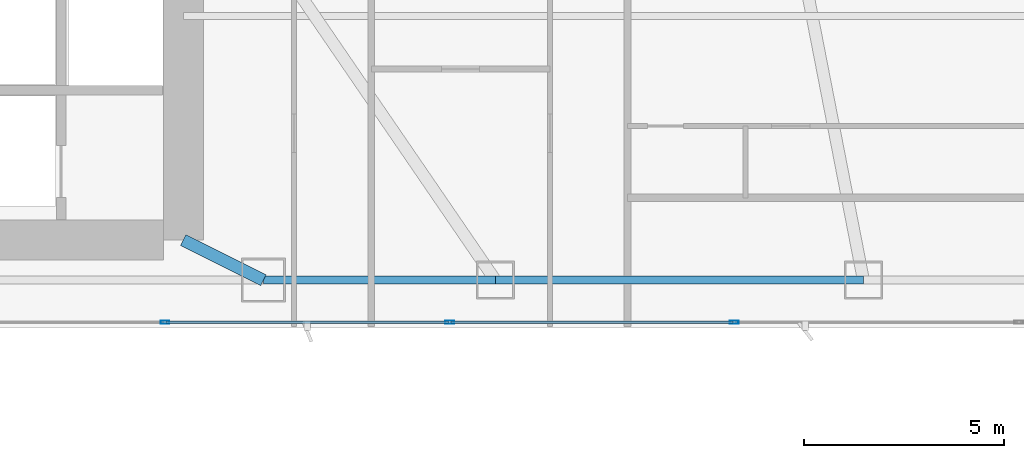
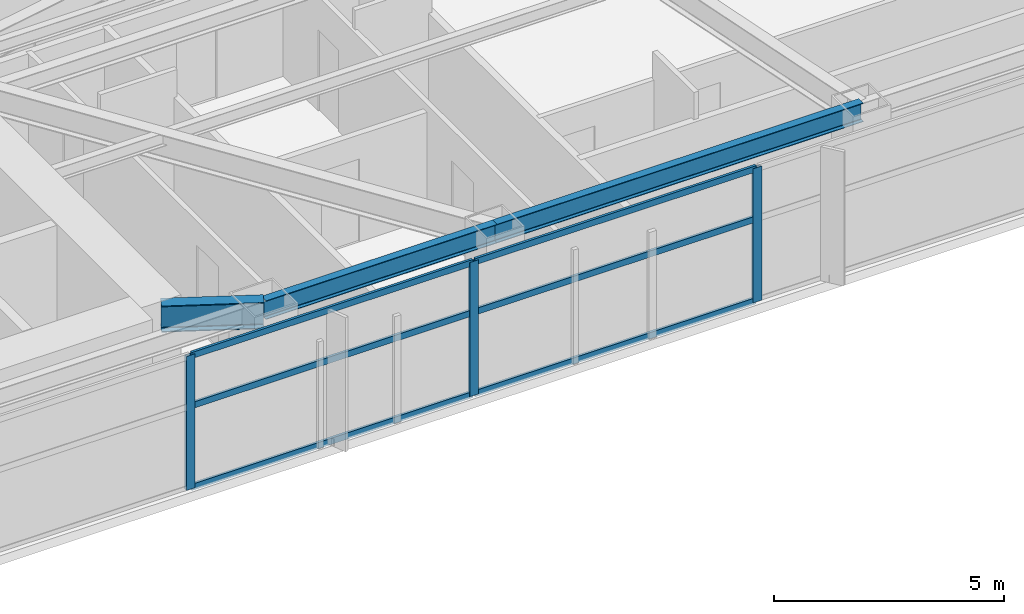
# One storey, part 12 of 30: 9 members, 3 beams, 1 element without a shape of its own.
"""IFC4 building model written with IfcOpenShell, lengths in metres."""

from ifc_helpers import new_model, si_unit, direction, frame, origin, origin_2d, place, context, subcontext, project, spatial, hollow_rectangle, i_section, extrude, material, layer, layer_set, material_profile, profile_set, type_object, element, aggregate, save


model = new_model("IFC4")

# Units and contexts
model_context = context("Model", 3, precision=1e-05, world=origin(), true_north=direction((0.0, 1.0)))
body_context = subcontext(model_context, "Body", "Model", "MODEL_VIEW")
ifc_project = project(units=[si_unit("LENGTHUNIT", "METRE"), si_unit("AREAUNIT", "SQUARE_METRE"), si_unit("VOLUMEUNIT", "CUBIC_METRE"), si_unit("PLANEANGLEUNIT", "RADIAN"), si_unit("MASSUNIT", "GRAM", prefix="KILO")], contexts=[model_context])

# Site, building, storey
site_placement = place(None, origin())
site = spatial("IfcSite", under=ifc_project, at=site_placement, CompositionType="ELEMENT")
building_placement = place(site_placement, origin())
building = spatial("IfcBuilding", under=site, at=building_placement, Name="Calvorn Quay Hotel", CompositionType="ELEMENT")
storey_placement = place(building_placement, frame((0.0, 0.0, 77.39990234375)))
storey = spatial("IfcBuildingStorey", under=building, at=storey_placement, Name="L18", CompositionType="ELEMENT", Elevation=77.39990234375)

# Beams
ifc_material_1 = material(Name="Steel Q390GJC", Category="steel")
ifc_material_profile_1 = material_profile(ifc_material_1, i_section(OverallWidth=0.300048828125, OverallDepth=0.699951171875, WebThickness=0.012939453125, FlangeThickness=0.02392578125, FilletRadius=0.02392578125, at=origin_2d()), Name="HN700x300x13x24")
ifc_profile_set_1 = profile_set([ifc_material_profile_1], Name="Steel Q390GJC")
beam_type_1 = type_object("IfcBeamType", Name="BM-GIRD-MAIN", PredefinedType="BEAM", material=ifc_profile_set_1)
beam_1_placement = place(storey_placement, frame((34.39990234375, 3.60009765625, 3.190185546875), z_axis=(-0.894427191, 0.4472135955, 0.0), x_axis=(-0.4472135955, -0.894427191, 0.0)))
element("IfcBeam", 1, at=beam_1_placement, inside=storey, type_object=beam_type_1, Name="Beam BG-L18-S3", PredefinedType="BEAM", context=body_context, shape_type="SweptSolid", body=[
    extrude(i_section(OverallWidth=0.300048828125, OverallDepth=0.699951171875, WebThickness=0.012939453125, FlangeThickness=0.02392578125, FilletRadius=0.02392578125, at=origin_2d()), origin(), (0.0, 0.0, 1.0), 2.236083984375),
])
ifc_material_2 = material(Name="Steel Q355B", Category="steel")
ifc_material_profile_2 = material_profile(ifc_material_2, i_section(OverallWidth=0.199951171875, OverallDepth=0.5, WebThickness=0.010009765625, FlangeThickness=0.01611328125, FilletRadius=0.01611328125, at=origin_2d()), Name="HN500x200x10x16")
ifc_profile_set_2 = profile_set([ifc_material_profile_2], Name="Steel Q355B")
beam_type_2 = type_object("IfcBeamType", Name="BM-SPANDREL-Z1", PredefinedType="SPANDREL", material=ifc_profile_set_2)
beam_2_placement = place(storey_placement, frame((34.39990234375, 3.60009765625, 3.2900390625), z_axis=(1.0, 0.0, 0.0), x_axis=(0.0, 1.0, 0.0)))
element("IfcBeam", 2, at=beam_2_placement, inside=storey, type_object=beam_type_2, Name="Beam BSP-L18-S4", PredefinedType="SPANDREL", context=body_context, shape_type="SweptSolid", body=[
    extrude(i_section(OverallWidth=0.199951171875, OverallDepth=0.5, WebThickness=0.010009765625, FlangeThickness=0.01611328125, FilletRadius=0.01611328125, at=origin_2d()), origin(), (0.0, 0.0, 1.0), 5.800048828125),
])
beam_3_placement = place(storey_placement, frame((40.199951171875, 3.60009765625, 3.2900390625), z_axis=(1.0, 0.0, 0.0), x_axis=(0.0, 1.0, 0.0)))
element("IfcBeam", 3, at=beam_3_placement, inside=storey, type_object=beam_type_2, Name="Beam BSP-L18-S5", PredefinedType="SPANDREL", context=body_context, shape_type="SweptSolid", body=[
    extrude(i_section(OverallWidth=0.199951171875, OverallDepth=0.5, WebThickness=0.010009765625, FlangeThickness=0.01611328125, FilletRadius=0.01611328125, at=origin_2d()), origin(), (0.0, 0.0, 1.0), 9.199951171875),
])

# Curtain wall, members
ifc_material_3 = material(Name="Pale Anodised Aluminium and Low-E Glass", Category="aluminium")
ifc_layer = layer(ifc_material_3, 0.219970703125)
ifc_layer_set = layer_set([ifc_layer], Name="CW-SYS-Z1")
curtain_wall_type = type_object("IfcCurtainWallType", Name="CW-SYS-Z1", PredefinedType="NOTDEFINED", material=ifc_layer_set)
curtain_wall_placement = place(storey_placement, origin())
curtain_wall = element("IfcCurtainWall", 4, at=curtain_wall_placement, inside=storey, type_object=curtain_wall_type, Name="Tower South Waterfront Curtain Wall (L18)", PredefinedType="NOTDEFINED")
ifc_material_4 = material(Name="Pale Anodised Aluminium 6063-T6", Category="aluminium")
ifc_material_profile_3 = material_profile(ifc_material_4, hollow_rectangle(XDim=0.074951171875, YDim=0.219970703125, WallThickness=0.00439453125, at=origin_2d()), Name="ALU-M220x75x4.5")
ifc_profile_set_3 = profile_set([ifc_material_profile_3], Name="Pale Anodised Aluminium 6063-T6")
member_type_1 = type_object("IfcMemberType", Name="CW-SYS-Z1-MUL", PredefinedType="MULLION", material=ifc_profile_set_3)
member_1_placement = place(storey_placement, frame((31.94287109375, 2.550048828125, 0.0), z_axis=(0.0, 0.0, 1.0), x_axis=(0.0, 1.0, 0.0)))
member_1 = element("IfcMember", 5, at=member_1_placement, type_object=member_type_1, Name="CW-L18-S mullion 4", PredefinedType="MULLION", context=body_context, shape_type="SweptSolid", body=[
    extrude(hollow_rectangle(XDim=0.074951171875, YDim=0.219970703125, WallThickness=0.00439453125, at=origin_2d()), origin(), (0.0, 0.0, 1.0), 3.56005859375),
])
member_2_placement = place(storey_placement, frame((39.05712890625, 2.550048828125, 0.0), z_axis=(0.0, 0.0, 1.0), x_axis=(0.0, 1.0, 0.0)))
member_2 = element("IfcMember", 6, at=member_2_placement, type_object=member_type_1, Name="CW-L18-S mullion 5", PredefinedType="MULLION", context=body_context, shape_type="SweptSolid", body=[
    extrude(hollow_rectangle(XDim=0.074951171875, YDim=0.219970703125, WallThickness=0.00439453125, at=origin_2d()), origin(), (0.0, 0.0, 1.0), 3.56005859375),
])
member_3_placement = place(storey_placement, frame((46.17138671875, 2.550048828125, 0.0), z_axis=(0.0, 0.0, 1.0), x_axis=(0.0, 1.0, 0.0)))
member_3 = element("IfcMember", 7, at=member_3_placement, type_object=member_type_1, Name="CW-L18-S mullion 6", PredefinedType="MULLION", context=body_context, shape_type="SweptSolid", body=[
    extrude(hollow_rectangle(XDim=0.074951171875, YDim=0.219970703125, WallThickness=0.00439453125, at=origin_2d()), origin(), (0.0, 0.0, 1.0), 3.56005859375),
])
ifc_material_5 = material(Name="Pale Anodised Aluminium 6063-T6", Category="aluminium")
ifc_material_profile_4 = material_profile(ifc_material_5, hollow_rectangle(XDim=0.06494140625, YDim=0.1650390625, WallThickness=0.00341796875, at=origin_2d()), Name="ALU-T165x65x3.5")
ifc_profile_set_4 = profile_set([ifc_material_profile_4], Name="Pale Anodised Aluminium 6063-T6")
member_type_2 = type_object("IfcMemberType", Name="CW-SYS-Z1-TRN", PredefinedType="USERDEFINED", material=ifc_profile_set_4)
member_4_placement = place(storey_placement, frame((31.972900390625, 2.550048828125, 0.030029296875), z_axis=(1.0, 0.0, 0.0), x_axis=(0.0, 1.0, 0.0)))
member_4 = element("IfcMember", 8, at=member_4_placement, type_object=member_type_2, Name="CW-L18-S transom 4.1", ObjectType="TRANSOM", PredefinedType="USERDEFINED", context=body_context, shape_type="SweptSolid", body=[
    extrude(hollow_rectangle(XDim=0.06494140625, YDim=0.1650390625, WallThickness=0.00341796875, at=origin_2d()), origin(), (0.0, 0.0, 1.0), 7.05419921875),
])
member_5_placement = place(storey_placement, frame((31.972900390625, 2.550048828125, 2.2001953125), z_axis=(1.0, 0.0, 0.0), x_axis=(0.0, 1.0, 0.0)))
member_5 = element("IfcMember", 9, at=member_5_placement, type_object=member_type_2, Name="CW-L18-S transom 4.2", ObjectType="TRANSOM", PredefinedType="USERDEFINED", context=body_context, shape_type="SweptSolid", body=[
    extrude(hollow_rectangle(XDim=0.06494140625, YDim=0.1650390625, WallThickness=0.00341796875, at=origin_2d()), origin(), (0.0, 0.0, 1.0), 7.05419921875),
])
member_6_placement = place(storey_placement, frame((31.972900390625, 2.550048828125, 3.530029296875), z_axis=(1.0, 0.0, 0.0), x_axis=(0.0, 1.0, 0.0)))
member_6 = element("IfcMember", 10, at=member_6_placement, type_object=member_type_2, Name="CW-L18-S transom 4.3", ObjectType="TRANSOM", PredefinedType="USERDEFINED", context=body_context, shape_type="SweptSolid", body=[
    extrude(hollow_rectangle(XDim=0.06494140625, YDim=0.1650390625, WallThickness=0.00341796875, at=origin_2d()), origin(), (0.0, 0.0, 1.0), 7.05419921875),
])
member_7_placement = place(storey_placement, frame((39.087158203125, 2.550048828125, 0.030029296875), z_axis=(1.0, 0.0, 0.0), x_axis=(0.0, 1.0, 0.0)))
member_7 = element("IfcMember", 11, at=member_7_placement, type_object=member_type_2, Name="CW-L18-S transom 5.1", ObjectType="TRANSOM", PredefinedType="USERDEFINED", context=body_context, shape_type="SweptSolid", body=[
    extrude(hollow_rectangle(XDim=0.06494140625, YDim=0.1650390625, WallThickness=0.00341796875, at=origin_2d()), origin(), (0.0, 0.0, 1.0), 7.05419921875),
])
member_8_placement = place(storey_placement, frame((39.087158203125, 2.550048828125, 2.2001953125), z_axis=(1.0, 0.0, 0.0), x_axis=(0.0, 1.0, 0.0)))
member_8 = element("IfcMember", 12, at=member_8_placement, type_object=member_type_2, Name="CW-L18-S transom 5.2", ObjectType="TRANSOM", PredefinedType="USERDEFINED", context=body_context, shape_type="SweptSolid", body=[
    extrude(hollow_rectangle(XDim=0.06494140625, YDim=0.1650390625, WallThickness=0.00341796875, at=origin_2d()), origin(), (0.0, 0.0, 1.0), 7.05419921875),
])
member_9_placement = place(storey_placement, frame((39.087158203125, 2.550048828125, 3.530029296875), z_axis=(1.0, 0.0, 0.0), x_axis=(0.0, 1.0, 0.0)))
member_9 = element("IfcMember", 13, at=member_9_placement, type_object=member_type_2, Name="CW-L18-S transom 5.3", ObjectType="TRANSOM", PredefinedType="USERDEFINED", context=body_context, shape_type="SweptSolid", body=[
    extrude(hollow_rectangle(XDim=0.06494140625, YDim=0.1650390625, WallThickness=0.00341796875, at=origin_2d()), origin(), (0.0, 0.0, 1.0), 7.05419921875),
])
aggregate(curtain_wall, [member_1, member_2, member_3, member_4, member_5, member_6, member_7, member_8, member_9])

save(model, "model.ifc")
